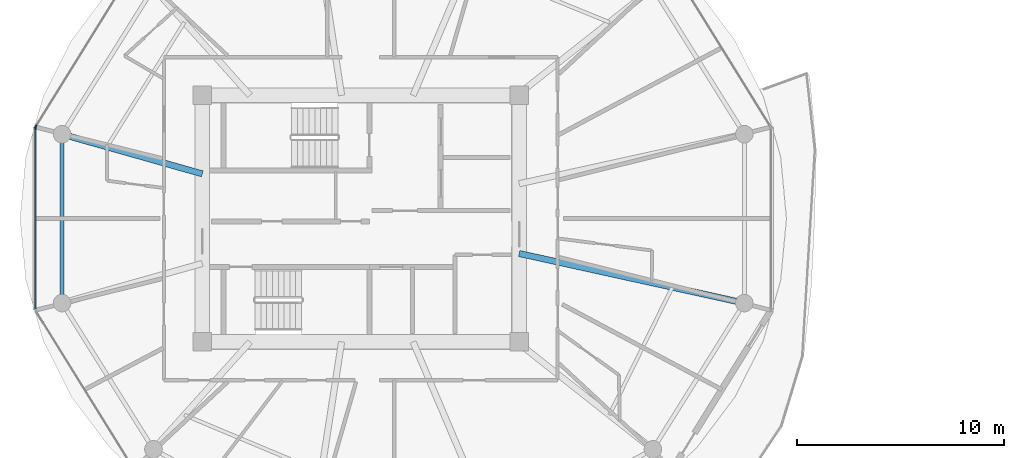
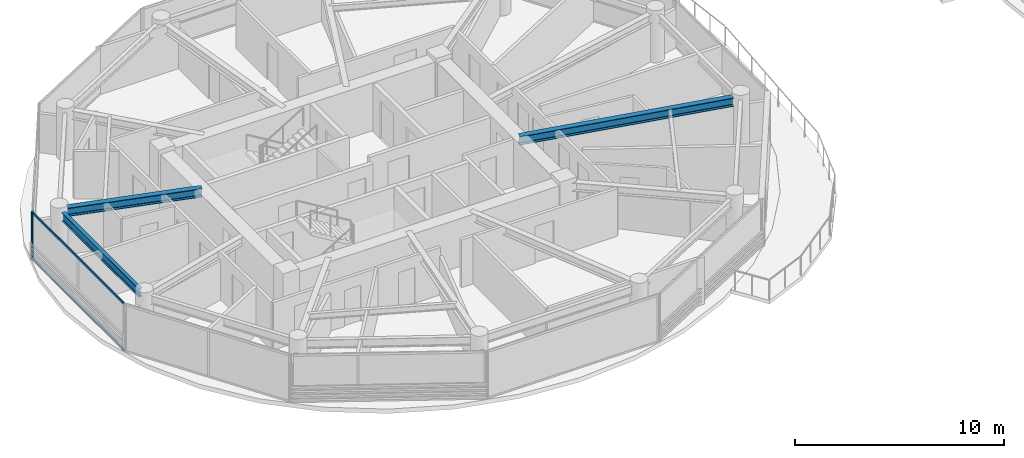
# One storey, part 3 of 22: 4 members, 3 beams, 2 elements without a shape of their own.
"""IFC4 building model written with IfcOpenShell, lengths in metres."""

from ifc_helpers import new_model, si_unit, direction, frame, origin, origin_2d, place, context, subcontext, project, spatial, rectangle, i_section, extrude, source, transform, mapped, material, layer, layer_set, material_profile, profile_set, type_object, type_shapes, element, aggregate, save


model = new_model("IFC4")

# Units and contexts
model_context = context("Model", 3, precision=1e-05, world=origin(), true_north=direction((0.0, 1.0)))
body_context = subcontext(model_context, "Body", "Model", "MODEL_VIEW")
ifc_project = project(units=[si_unit("LENGTHUNIT", "METRE"), si_unit("AREAUNIT", "SQUARE_METRE"), si_unit("VOLUMEUNIT", "CUBIC_METRE"), si_unit("PLANEANGLEUNIT", "RADIAN"), si_unit("MASSUNIT", "GRAM", prefix="KILO")], contexts=[model_context])

# Site, building, storey
site_placement = place(None, origin())
site = spatial("IfcSite", under=ifc_project, at=site_placement, CompositionType="ELEMENT")
building_placement = place(site_placement, origin())
building = spatial("IfcBuilding", under=site, at=building_placement, Name="Norrkilde Senior Care Towers", CompositionType="ELEMENT")
storey_placement = place(building_placement, frame((0.0, 0.0, 120.64990234375)))
storey = spatial("IfcBuildingStorey", under=building, at=storey_placement, Name="L37", CompositionType="ELEMENT", Elevation=120.64990234375)

# Beams
ifc_material_1 = material(Name="Steel S355", Category="steel")
ifc_material_profile_1 = material_profile(ifc_material_1, i_section(OverallWidth=0.300048828125, OverallDepth=0.5, WebThickness=0.014404296875, FlangeThickness=0.028076171875, FilletRadius=0.027099609375, at=origin_2d()), Name="HEB 500")
ifc_profile_set_1 = profile_set([ifc_material_profile_1], Name="Steel S355")
beam_type_1 = type_object("IfcBeamType", Name="Radial Floor Beam Z2 HEB500", PredefinedType="BEAM", material=ifc_profile_set_1)
shared_shape_1 = source(origin(), body_context, "Body", "SweptSolid", [
    extrude(i_section(OverallWidth=0.300048828125, OverallDepth=0.5, WebThickness=0.014404296875, FlangeThickness=0.028076171875, FilletRadius=0.027099609375, at=origin_2d()), origin(), (0.0, 0.0, 1.0), 10.744384765625),
])
beam_1_placement = place(storey_placement, frame((-20.35009765625, -1.683837890625, 2.5400390625), z_axis=(0.976618711422, -0.214978818724, 0.0), x_axis=(0.214978818724, 0.976618711422, 0.0)))
element("IfcBeam", 1, at=beam_1_placement, inside=storey, type_object=beam_type_1, Name="L37 Drum W Radial Floor Beam 12", PredefinedType="BEAM", context=body_context, shape_type="MappedRepresentation", body=[
    mapped(shared_shape_1, transform((0.0, 0.0, 0.0), x_axis=(1.0, 0.0, 0.0), y_axis=(0.0, 1.0, 0.0), z_axis=(0.0, 0.0, 1.0), scale=1.0)),
])
ifc_material_profile_2 = material_profile(ifc_material_1, i_section(OverallWidth=0.199951171875, OverallDepth=0.5, WebThickness=0.01025390625, FlangeThickness=0.01611328125, FilletRadius=0.02099609375, at=origin_2d()), Name="IPE 500")
ifc_profile_set_2 = profile_set([ifc_material_profile_2], Name="Steel S355")
beam_type_2 = type_object("IfcBeamType", Name="Perimeter Ring Spandrel Z2 IPE500", PredefinedType="SPANDREL", material=ifc_profile_set_2)
shared_shape_2 = source(origin(), body_context, "Body", "SweptSolid", [
    extrude(i_section(OverallWidth=0.199951171875, OverallDepth=0.5, WebThickness=0.01025390625, FlangeThickness=0.01611328125, FilletRadius=0.02099609375, at=origin_2d()), origin(), (0.0, 0.0, 1.0), 7.3828125),
])
type_shapes(beam_type_2, [shared_shape_2])
beam_2_placement = place(storey_placement, frame((-42.4189453125, 3.69140625, 2.5400390625), z_axis=(0.0, -1.0, 0.0), x_axis=(1.0, 0.0, 0.0)))
element("IfcBeam", 2, at=beam_2_placement, inside=storey, type_object=beam_type_2, Name="L37 Drum W Perimeter Spandrel 06", PredefinedType="SPANDREL", context=body_context, shape_type="MappedRepresentation", body=[
    mapped(shared_shape_2, transform((0.0, 0.0, 0.0), x_axis=(1.0, 0.0, 0.0), y_axis=(0.0, 1.0, 0.0), z_axis=(0.0, 0.0, 1.0), scale=1.0)),
])
shared_shape_3 = source(origin(), body_context, "Body", "SweptSolid", [
    extrude(i_section(OverallWidth=0.300048828125, OverallDepth=0.5, WebThickness=0.014404296875, FlangeThickness=0.028076171875, FilletRadius=0.027099609375, at=origin_2d()), origin(), (0.0, 0.0, 1.0), 6.6494140625),
])
type_shapes(beam_type_1, [shared_shape_1, shared_shape_3])
beam_3_placement = place(storey_placement, frame((-35.64990234375, 2.162841796875, 2.5400390625), z_axis=(-0.962289138357, 0.27202870106, 0.0), x_axis=(-0.27202870106, -0.962289138357, 0.0)))
element("IfcBeam", 3, at=beam_3_placement, inside=storey, type_object=beam_type_1, Name="L37 Drum W Radial Floor Beam 06", PredefinedType="BEAM", context=body_context, shape_type="MappedRepresentation", body=[
    mapped(shared_shape_3, transform((0.0, 0.0, 0.0), x_axis=(1.0, 0.0, 0.0), y_axis=(0.0, 1.0, 0.0), z_axis=(0.0, 0.0, 1.0), scale=1.0)),
])

# Curtain wall, member
ifc_material_2 = material(Name="Triple Low-E Insulated Glazing", Category="glass")
ifc_layer = layer(ifc_material_2, 0.195068359375)
ifc_layer_set = layer_set([ifc_layer], Name="Triple Low-E Insulated Glazing")
curtain_wall_type = type_object("IfcCurtainWallType", Name="CW3 Zone 2 Assisted Living Curtain Wall", PredefinedType="NOTDEFINED", material=ifc_layer_set)
curtain_wall_1_placement = place(storey_placement, origin())
curtain_wall_1 = element("IfcCurtainWall", 4, at=curtain_wall_1_placement, inside=storey, type_object=curtain_wall_type, Name="L37 Drum W Curtain Wall 04", PredefinedType="NOTDEFINED")
ifc_material_3 = material(Name="Anodised Aluminium", Category="aluminium")
ifc_material_profile_3 = material_profile(ifc_material_3, rectangle(XDim=0.06494140625, YDim=0.159912109375, at=origin_2d()), Name="ALU MULL 65x160")
ifc_profile_set_3 = profile_set([ifc_material_profile_3], Name="Anodised Aluminium")
member_type_1 = type_object("IfcMemberType", Name="Curtain Wall Mullion Z1-Z2 65x160", PredefinedType="MULLION", material=ifc_profile_set_3)
shared_shape_4 = source(origin(), body_context, "Body", "SweptSolid", [
    extrude(rectangle(XDim=0.06494140625, YDim=0.159912109375, at=origin_2d()), origin(), (0.0, 0.0, 1.0), 2.7900390625),
])
type_shapes(member_type_1, [shared_shape_4])
member_1_placement = place(storey_placement, frame((-43.6865234375, 4.4482421875, 0.0), z_axis=(0.0, 0.0, 1.0), x_axis=(-0.849410171862, 0.527733228002, 0.0)))
member_1 = element("IfcMember", 5, at=member_1_placement, type_object=member_type_1, Name="CW-3 mullion 1", PredefinedType="MULLION", context=body_context, shape_type="MappedRepresentation", body=[
    mapped(shared_shape_4, transform((0.0, 0.0, 0.0), x_axis=(1.0, 0.0, 0.0), y_axis=(0.0, 1.0, 0.0), z_axis=(0.0, 0.0, 1.0), scale=1.0)),
])
aggregate(curtain_wall_1, [member_1])

# Curtain wall, members
curtain_wall_2_placement = place(storey_placement, origin())
curtain_wall_2 = element("IfcCurtainWall", 6, at=curtain_wall_2_placement, inside=storey, type_object=curtain_wall_type, Name="L37 Drum W Curtain Wall 05", PredefinedType="NOTDEFINED")
member_2_placement = place(storey_placement, frame((-43.70361328125, 4.38818359375, 0.0), z_axis=(0.0, 0.0, 1.0), x_axis=(-1.0, 0.0, 0.0)))
member_2 = element("IfcMember", 7, at=member_2_placement, type_object=member_type_1, Name="CW-3 mullion 2", PredefinedType="MULLION", context=body_context, shape_type="MappedRepresentation", body=[
    mapped(shared_shape_4, transform((0.0, 0.0, 0.0), x_axis=(1.0, 0.0, 0.0), y_axis=(0.0, 1.0, 0.0), z_axis=(0.0, 0.0, 1.0), scale=1.0)),
])
ifc_material_profile_4 = material_profile(ifc_material_3, rectangle(XDim=0.06005859375, YDim=0.1201171875, at=origin_2d()), Name="ALU TRAN 60x120")
ifc_profile_set_4 = profile_set([ifc_material_profile_4], Name="Anodised Aluminium")
member_type_2 = type_object("IfcMemberType", Name="Curtain Wall Transom Typical 60x120", PredefinedType="USERDEFINED", material=ifc_profile_set_4)
shared_shape_5 = source(origin(), body_context, "Body", "SweptSolid", [
    extrude(rectangle(XDim=0.06005859375, YDim=0.1201171875, at=origin_2d()), origin(), (0.0, 0.0, 1.0), 8.71142578125),
])
type_shapes(member_type_2, [shared_shape_5])
member_3_placement = place(storey_placement, frame((-43.70361328125, -4.355712890625, 0.030029296875), z_axis=(0.0, 1.0, 0.0), x_axis=(-1.0, 0.0, 0.0)))
member_3 = element("IfcMember", 8, at=member_3_placement, type_object=member_type_2, Name="CW-3 transom 1.1", ObjectType="TRANSOM", PredefinedType="USERDEFINED", context=body_context, shape_type="MappedRepresentation", body=[
    mapped(shared_shape_5, transform((0.0, 0.0, 0.0), x_axis=(1.0, 0.0, 0.0), y_axis=(0.0, 1.0, 0.0), z_axis=(0.0, 0.0, 1.0), scale=1.0)),
])
member_4_placement = place(storey_placement, frame((-43.70361328125, -4.355712890625, 2.760009765625), z_axis=(0.0, 1.0, 0.0), x_axis=(-1.0, 0.0, 0.0)))
member_4 = element("IfcMember", 9, at=member_4_placement, type_object=member_type_2, Name="CW-3 transom 1.2", ObjectType="TRANSOM", PredefinedType="USERDEFINED", context=body_context, shape_type="MappedRepresentation", body=[
    mapped(shared_shape_5, transform((0.0, 0.0, 0.0), x_axis=(1.0, 0.0, 0.0), y_axis=(0.0, 1.0, 0.0), z_axis=(0.0, 0.0, 1.0), scale=1.0)),
])
aggregate(curtain_wall_2, [member_2, member_3, member_4])

save(model, "model.ifc")
